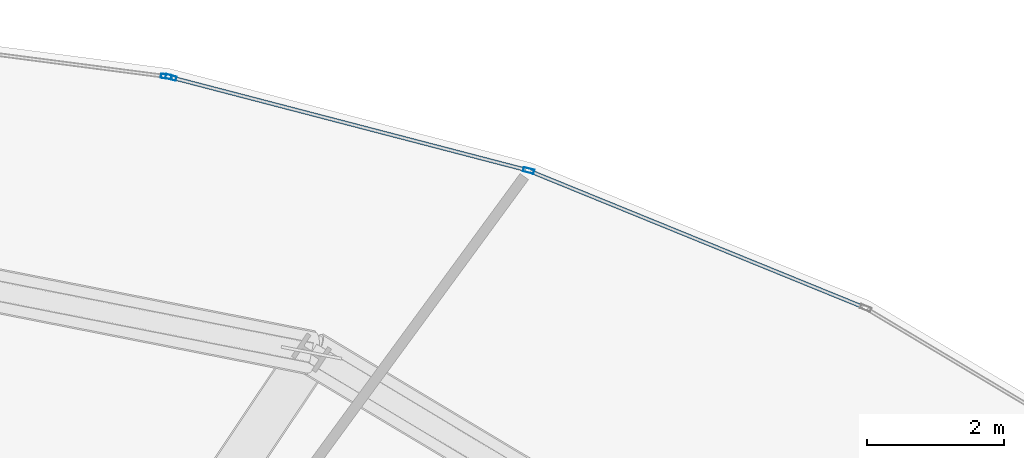
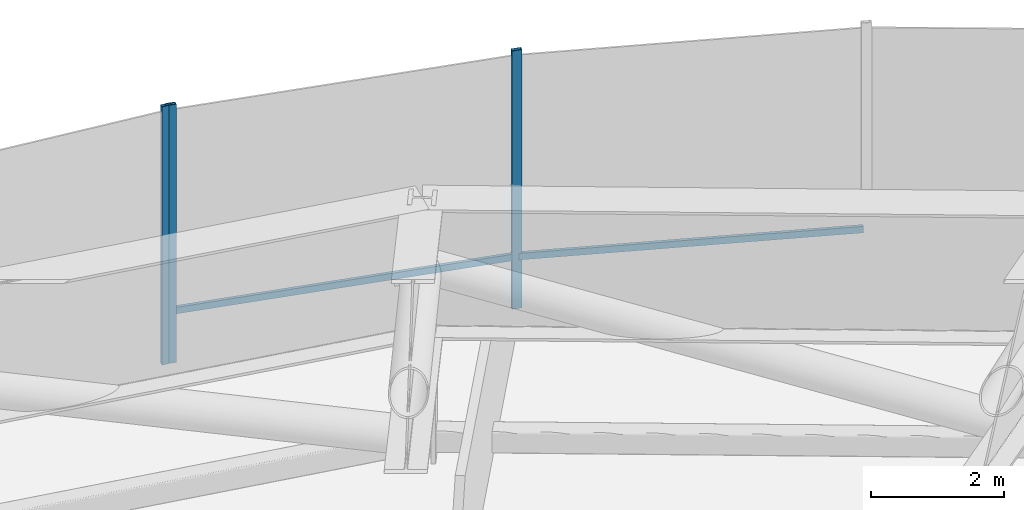
# One storey, part 22 of 33: 5 members, 2 elements without a shape of their own.
"""IFC4 building model written with IfcOpenShell, lengths in metres."""

import ifcopenshell
import ifcopenshell.guid

model = None  # the IFC model being written
_history = None  # IfcOwnerHistory: only IFC2X3 demands one
_inside = {}  # id of a spatial element -> (the spatial element, [elements in it])
_under = {}  # id of a project, library or spatial element -> (it, [spatial elements below it])
_declared = {}  # id of a project -> (the project, [libraries it declares])
_typed = {}  # id of a type object -> (the type object, [elements of that type])
_made_of = {}  # id of a material, layer set ... -> (it, [elements and type objects made of it])


def new_model(schema):
    """Start an empty IFC model of exactly this schema.

    Asked for "IFC4X3", IfcOpenShell would pick the latest addendum, in which some entities
    have other attributes; the version numbers below select the first issue.
    IFC2X3 requires an IfcOwnerHistory on every rooted entity: one is made here for all.
    """
    global model, _history
    if schema == "IFC4X3":
        model = ifcopenshell.file(schema_version=(4, 3, 0, 0))
    else:
        model = ifcopenshell.file(schema=schema)
    _inside.clear()
    _under.clear()
    _declared.clear()
    _typed.clear()
    _made_of.clear()
    _history = None
    if model.schema == "IFC2X3":
        org = make("IfcOrganization", Name="unknown")
        user = make(
            "IfcPersonAndOrganization",
            ThePerson=make("IfcPerson", FamilyName="unknown"),
            TheOrganization=org,
        )
        app = make(
            "IfcApplication",
            ApplicationDeveloper=org,
            Version="unknown",
            ApplicationFullName="unknown",
            ApplicationIdentifier="unknown",
        )
        _history = make(
            "IfcOwnerHistory",
            OwningUser=user,
            OwningApplication=app,
            ChangeAction="ADDED",
            CreationDate=0,
        )
    return model


def make(cls, **values):
    """One entity of the class cls with the attributes given. An attribute that is None is left unset."""
    return model.create_entity(
        cls, **{name: value for name, value in values.items() if value is not None}
    )


def rooted(cls, **values):
    """An entity with a GlobalId (a new one), such as an element, a storey or a relation."""
    return make(cls, GlobalId=ifcopenshell.guid.new(), OwnerHistory=_history, **values)


def si_unit(unit_type, name, prefix=None):
    """IfcSIUnit, for example si_unit("LENGTHUNIT", "METRE", prefix="MILLI")."""
    return make("IfcSIUnit", UnitType=unit_type, Prefix=prefix, Name=name)


def assignment(units):
    """IfcUnitAssignment: the units of a project."""
    return None if units is None else make("IfcUnitAssignment", Units=units)


def point(xyz):
    """IfcCartesianPoint."""
    return None if xyz is None else make("IfcCartesianPoint", Coordinates=xyz)


def direction(xyz):
    """IfcDirection."""
    return None if xyz is None else make("IfcDirection", DirectionRatios=xyz)


def frame(location, z_axis=None, x_axis=None):
    """IfcAxis2Placement3D, a coordinate frame: its origin and axes. An axis left out is left unset."""
    return make(
        "IfcAxis2Placement3D",
        Location=point(location),
        Axis=direction(z_axis),
        RefDirection=direction(x_axis),
    )


def frame_2d(location, x_axis=None):
    """IfcAxis2Placement2D, a coordinate frame in the plane: its origin and x axis."""
    return make(
        "IfcAxis2Placement2D", Location=point(location), RefDirection=direction(x_axis)
    )


def origin():
    """The frame at (0, 0, 0) with its axes left unset."""
    return frame((0.0, 0.0, 0.0))


def origin_2d():
    """The frame at (0, 0) in the plane with its x axis left unset."""
    return frame_2d((0.0, 0.0))


def place(relative_to, where):
    """IfcLocalPlacement: puts the frame where relative to a parent placement (None: the world)."""
    return make(
        "IfcLocalPlacement", PlacementRelTo=relative_to, RelativePlacement=where
    )


def context(
    kind, dimensions, precision=None, world=None, true_north=None, identifier=None
):
    """IfcGeometricRepresentationContext, for example the 3D "Model" context."""
    return make(
        "IfcGeometricRepresentationContext",
        ContextIdentifier=identifier,
        ContextType=kind,
        CoordinateSpaceDimension=dimensions,
        Precision=precision,
        WorldCoordinateSystem=world,
        TrueNorth=true_north,
    )


def subcontext(parent, identifier, kind, view, scale=None):
    """IfcGeometricRepresentationSubContext, for example "Body" below "Model"."""
    return make(
        "IfcGeometricRepresentationSubContext",
        ContextIdentifier=identifier,
        ContextType=kind,
        ParentContext=parent,
        TargetScale=scale,
        TargetView=view,
    )


def project(units=None, contexts=None):
    """IfcProject with its units and contexts."""
    return rooted(
        "IfcProject",
        Name="project",
        RepresentationContexts=contexts,
        UnitsInContext=assignment(units),
    )


def spatial(cls, under=None, at=None, **own):
    """A site, building, storey or space (cls), placed at a placement, below another one or the project."""
    s = rooted(cls, ObjectPlacement=at, **own)
    if under is not None:
        _under.setdefault(under.id(), (under, []))[1].append(s)
    return s


def profile(cls, at=None, kind="AREA", **sizes):
    """A parametric profile (cls). Its sizes go by their IFC names, for example OverallWidth=200.0."""
    return make(cls, ProfileType=kind, Position=at, **sizes)


def hollow_rectangle(**sizes):
    """IfcRectangleHollowProfileDef."""
    return profile("IfcRectangleHollowProfileDef", **sizes)


def extrude(swept, where, along, depth):
    """IfcExtrudedAreaSolid: the profile swept, set in the frame where, extruded along a direction by depth."""
    return make(
        "IfcExtrudedAreaSolid",
        SweptArea=swept,
        Position=where,
        ExtrudedDirection=direction(along),
        Depth=depth,
    )


def shape(context_of_items, identifier, shape_type, items):
    """IfcShapeRepresentation: the items that make up one representation, for example the "Body"."""
    return make(
        "IfcShapeRepresentation",
        ContextOfItems=context_of_items,
        RepresentationIdentifier=identifier,
        RepresentationType=shape_type,
        Items=items,
    )


def source(mapping_origin, context_of_items, identifier, shape_type, items):
    """IfcRepresentationMap: a shape defined once, which mapped items show again and again."""
    return make(
        "IfcRepresentationMap",
        MappingOrigin=mapping_origin,
        MappedRepresentation=shape(context_of_items, identifier, shape_type, items),
    )


def transform(
    local_origin,
    x_axis=None,
    y_axis=None,
    z_axis=None,
    scale=None,
    scale2=None,
    scale3=None,
    uniform=True,
):
    """IfcCartesianTransformationOperator3D, or its non-uniform kind. x_axis, y_axis, z_axis: its Axis1, 2, 3."""
    if uniform:
        return make(
            "IfcCartesianTransformationOperator3D",
            Axis1=direction(x_axis),
            Axis2=direction(y_axis),
            LocalOrigin=point(local_origin),
            Scale=scale,
            Axis3=direction(z_axis),
        )
    return make(
        "IfcCartesianTransformationOperator3DnonUniform",
        Axis1=direction(x_axis),
        Axis2=direction(y_axis),
        LocalOrigin=point(local_origin),
        Scale=scale,
        Axis3=direction(z_axis),
        Scale2=scale2,
        Scale3=scale3,
    )


def mapped(mapping_source, mapping_target):
    """IfcMappedItem: shows the shape of a source again, moved by a transform."""
    return make(
        "IfcMappedItem", MappingSource=mapping_source, MappingTarget=mapping_target
    )


def material(Name=None, Category=None):
    """IfcMaterial."""
    return make("IfcMaterial", Name=Name, Category=Category)


def layer(
    of_material, thickness, ventilated=None, Name=None, Category=None, Priority=None
):
    """IfcMaterialLayer: one layer of a wall or slab, of a material (None: an air gap)."""
    return make(
        "IfcMaterialLayer",
        Material=of_material,
        LayerThickness=thickness,
        IsVentilated=ventilated,
        Name=Name,
        Category=Category,
        Priority=Priority,
    )


def layer_set(layers, Name=None):
    """IfcMaterialLayerSet."""
    return make("IfcMaterialLayerSet", MaterialLayers=layers, LayerSetName=Name)


def material_profile(
    of_material, cross_section, Name=None, Category=None, Priority=None
):
    """IfcMaterialProfile: a cross section and its material."""
    return make(
        "IfcMaterialProfile",
        Name=Name,
        Material=of_material,
        Profile=cross_section,
        Priority=Priority,
        Category=Category,
    )


def profile_set(profiles, Name=None, composite=None):
    """IfcMaterialProfileSet."""
    return make(
        "IfcMaterialProfileSet",
        Name=Name,
        MaterialProfiles=profiles,
        CompositeProfile=composite,
    )


def made_of(thing, what):
    """Note that an element or type object is made of a material, layer set ...; save() writes the relation."""
    if what is not None:
        _made_of.setdefault(what.id(), (what, []))[1].append(thing)
    return thing


def type_object(cls, material=None, **own):
    """A type object (cls), such as IfcWallType, which elements share."""
    return made_of(rooted(cls, **own), material)


def element(
    cls,
    number,
    at=None,
    inside=None,
    cuts=None,
    type_object=None,
    material=None,
    context=None,
    identifier="Body",
    shape_type=None,
    held_by="IfcProductDefinitionShape",
    body=None,
    shapes=None,
    **own,
):
    """One element of the class cls, such as IfcWall. Its Tag is "e" and its number.

    at: its placement. inside: the storey or other place that contains it. cuts: it is an
    opening in that element (IfcRelVoidsElement). A single representation is given by context,
    identifier, shape_type and body (its items); several are given by shapes. held_by: the class
    of the entity that holds the representations. save() writes the other relations.
    """
    e = rooted(cls, Tag="e%d" % number, ObjectPlacement=at, **own)
    if body is not None:
        shapes = [shape(context, identifier, shape_type, body)]
    if shapes is not None:
        e.Representation = make(held_by, Representations=shapes)
    if inside is not None:
        _inside.setdefault(inside.id(), (inside, []))[1].append(e)
    if cuts is not None:
        rooted(
            "IfcRelVoidsElement", RelatingBuildingElement=cuts, RelatedOpeningElement=e
        )
    if type_object is not None:
        _typed.setdefault(type_object.id(), (type_object, []))[1].append(e)
    return made_of(e, material)


def aggregate(whole, parts):
    """IfcRelAggregates: a whole, such as a stair, and the parts it consists of."""
    return rooted("IfcRelAggregates", RelatingObject=whole, RelatedObjects=parts)


def save(model, path):
    """Write the relations noted so far, then the file.

    IfcRelAggregates (storeys below a building ...), IfcRelContainedInSpatialStructure (elements
    in a storey), IfcRelDefinesByType, IfcRelAssociatesMaterial and IfcRelDeclares: one each for
    every whole, place, type object, material and project.
    """
    for whole, parts in _under.values():
        aggregate(whole, parts)
    for where, things in _inside.values():
        rooted(
            "IfcRelContainedInSpatialStructure",
            RelatedElements=things,
            RelatingStructure=where,
        )
    for kind, things in _typed.values():
        rooted("IfcRelDefinesByType", RelatedObjects=things, RelatingType=kind)
    for what, things in _made_of.values():
        rooted("IfcRelAssociatesMaterial", RelatedObjects=things, RelatingMaterial=what)
    for by, libraries in _declared.values():
        rooted("IfcRelDeclares", RelatingContext=by, RelatedDefinitions=libraries)
    model.write(path)


model = new_model("IFC4")

# Units and contexts
model_context = context("Model", 3, precision=1e-05, world=origin(), true_north=direction((0.0, 1.0)))
body_context = subcontext(model_context, "Body", "Model", "MODEL_VIEW")
ifc_project = project(units=[si_unit("LENGTHUNIT", "METRE"), si_unit("AREAUNIT", "SQUARE_METRE"), si_unit("VOLUMEUNIT", "CUBIC_METRE"), si_unit("PLANEANGLEUNIT", "RADIAN"), si_unit("MASSUNIT", "GRAM", prefix="KILO"), si_unit("THERMODYNAMICTEMPERATUREUNIT", "KELVIN")], contexts=[model_context])

# Site, building, storey
site_placement = place(None, origin())
site = spatial("IfcSite", under=ifc_project, at=site_placement, CompositionType="ELEMENT")
building_placement = place(site_placement, origin())
building = spatial("IfcBuilding", under=site, at=building_placement, Name="Kethvar Cultural Tower", CompositionType="ELEMENT")
storey_placement = place(building_placement, frame((0.0, 0.0, 80.39990234375)))
storey = spatial("IfcBuildingStorey", under=building, at=storey_placement, Name="L19", CompositionType="ELEMENT", Elevation=80.39990234375)

# Curtain wall, members
ifc_material = material(Name="Aluminium 6063-T6", Category="aluminium")
ifc_layer = layer(ifc_material, 0.179931640625, Name="Aluminium 6063-T6", Category="aluminium")
ifc_layer_set = layer_set([ifc_layer], Name="Aluminium 6063-T6 (180 mm)")
curtain_wall_type = type_object("IfcCurtainWallType", Name="CW-SYS-02-Z1", PredefinedType="NOTDEFINED", material=ifc_layer_set)
curtain_wall_1_placement = place(storey_placement, origin())
curtain_wall_1 = element("IfcCurtainWall", 1, at=curtain_wall_1_placement, inside=storey, type_object=curtain_wall_type, Name="L19 Curtain Wall Run 01", PredefinedType="NOTDEFINED")
ifc_material_profile_1 = material_profile(ifc_material, hollow_rectangle(XDim=0.06494140625, YDim=0.159912109375, WallThickness=0.0048828125, at=origin_2d()), Name="Aluminium 6063-T6 — RHS160x65x5")
ifc_profile_set_1 = profile_set([ifc_material_profile_1], Name="Aluminium 6063-T6 — RHS160x65x5")
member_type_1 = type_object("IfcMemberType", Name="CW-SYS-02-Z1-MUL", PredefinedType="MULLION", material=ifc_profile_set_1)
shared_shape_1 = source(origin(), body_context, "Body", "SweptSolid", [
    extrude(hollow_rectangle(XDim=0.06494140625, YDim=0.159912109375, WallThickness=0.0048828125, at=origin_2d()), origin(), (0.0, 0.0, 1.0), 4.760009765625),
])
member_1_placement = place(storey_placement, frame((63.005615234375, 49.960693359375, 0.0), z_axis=(0.0, 0.0, 1.0), x_axis=(-0.252069358243, -0.967709170482, 0.0)))
member_1 = element("IfcMember", 2, at=member_1_placement, type_object=member_type_1, Name="CW-L19-R01 Mullion 6", PredefinedType="MULLION", context=body_context, shape_type="MappedRepresentation", body=[
    mapped(shared_shape_1, transform((0.0, 0.0, 0.0), scale=1.0)),
])
member_2_placement = place(storey_placement, frame((57.7666015625, 51.325439453125, 0.0), z_axis=(0.0, 0.0, 1.0), x_axis=(-0.252069358243, -0.967709170482, 0.0)))
member_2 = element("IfcMember", 3, at=member_2_placement, type_object=member_type_1, Name="CW-L19-R01 Mullion 7", PredefinedType="MULLION", context=body_context, shape_type="MappedRepresentation", body=[
    mapped(shared_shape_1, transform((0.0, 0.0, 0.0), scale=1.0)),
])

# Curtain wall, member
curtain_wall_2_placement = place(storey_placement, origin())
curtain_wall_2 = element("IfcCurtainWall", 4, at=curtain_wall_2_placement, inside=storey, type_object=curtain_wall_type, Name="L19 Curtain Wall Run 02", PredefinedType="NOTDEFINED")
member_3_placement = place(storey_placement, frame((57.698486328125, 51.338623046875, 0.0), z_axis=(0.0, 0.0, 1.0), x_axis=(-0.1292455894, -0.991612614694, 0.0)))
member_3 = element("IfcMember", 5, at=member_3_placement, type_object=member_type_1, Name="CW-L19-R02 Mullion 1", PredefinedType="MULLION", context=body_context, shape_type="MappedRepresentation", body=[
    mapped(shared_shape_1, transform((0.0, 0.0, 0.0), scale=1.0)),
])
aggregate(curtain_wall_2, [member_3])

# Member
ifc_material_profile_2 = material_profile(ifc_material, hollow_rectangle(XDim=0.054931640625, YDim=0.1201171875, WallThickness=0.00390625, at=origin_2d()), Name="Aluminium 6063-T6 — RHS120x55x4")
ifc_profile_set_2 = profile_set([ifc_material_profile_2], Name="Aluminium 6063-T6 — RHS120x55x4")
member_type_2 = type_object("IfcMemberType", Name="CW-SYS-02-Z1-TRN", PredefinedType="USERDEFINED", material=ifc_profile_set_2)
shared_shape_2 = source(origin(), body_context, "Body", "SweptSolid", [
    extrude(hollow_rectangle(XDim=0.054931640625, YDim=0.1201171875, WallThickness=0.00390625, at=origin_2d()), origin(), (0.0, 0.0, 1.0), 5.251953125),
])
member_4_placement = place(storey_placement, frame((67.89697265625, 47.965087890625, 0.9501953125), z_axis=(-0.925987650118, 0.377553799913, 0.0), x_axis=(-0.377553799913, -0.925987650118, 0.0)))
member_4 = element("IfcMember", 6, at=member_4_placement, type_object=member_type_2, Name="CW-L19-R01 Transom 5", ObjectType="TRANSOM", PredefinedType="USERDEFINED", context=body_context, shape_type="MappedRepresentation", body=[
    mapped(shared_shape_2, transform((0.0, 0.0, 0.0), scale=1.0)),
])

shared_shape_3 = source(origin(), body_context, "Body", "SweptSolid", [
    extrude(hollow_rectangle(XDim=0.054931640625, YDim=0.1201171875, WallThickness=0.00390625, at=origin_2d()), origin(), (0.0, 0.0, 1.0), 5.3623046875),
])
member_5_placement = place(storey_placement, frame((62.960205078125, 49.97265625, 0.9501953125), z_axis=(-0.967714865312, 0.252047494442, 0.0), x_axis=(-0.252047494442, -0.967714865312, 0.0)))
member_5 = element("IfcMember", 7, at=member_5_placement, type_object=member_type_2, Name="CW-L19-R01 Transom 6", ObjectType="TRANSOM", PredefinedType="USERDEFINED", context=body_context, shape_type="MappedRepresentation", body=[
    mapped(shared_shape_3, transform((0.0, 0.0, 0.0), scale=1.0)),
])

aggregate(curtain_wall_1, [member_1, member_2, member_4, member_5])

save(model, "model.ifc")
